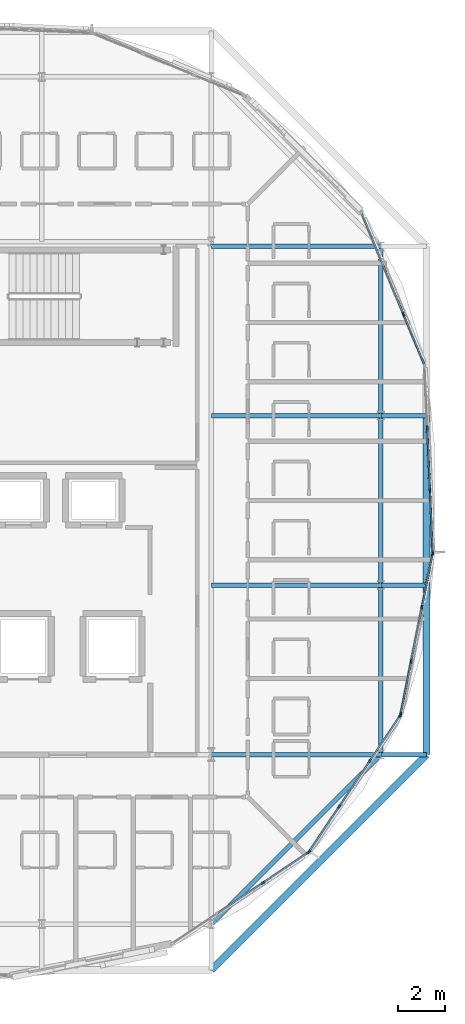
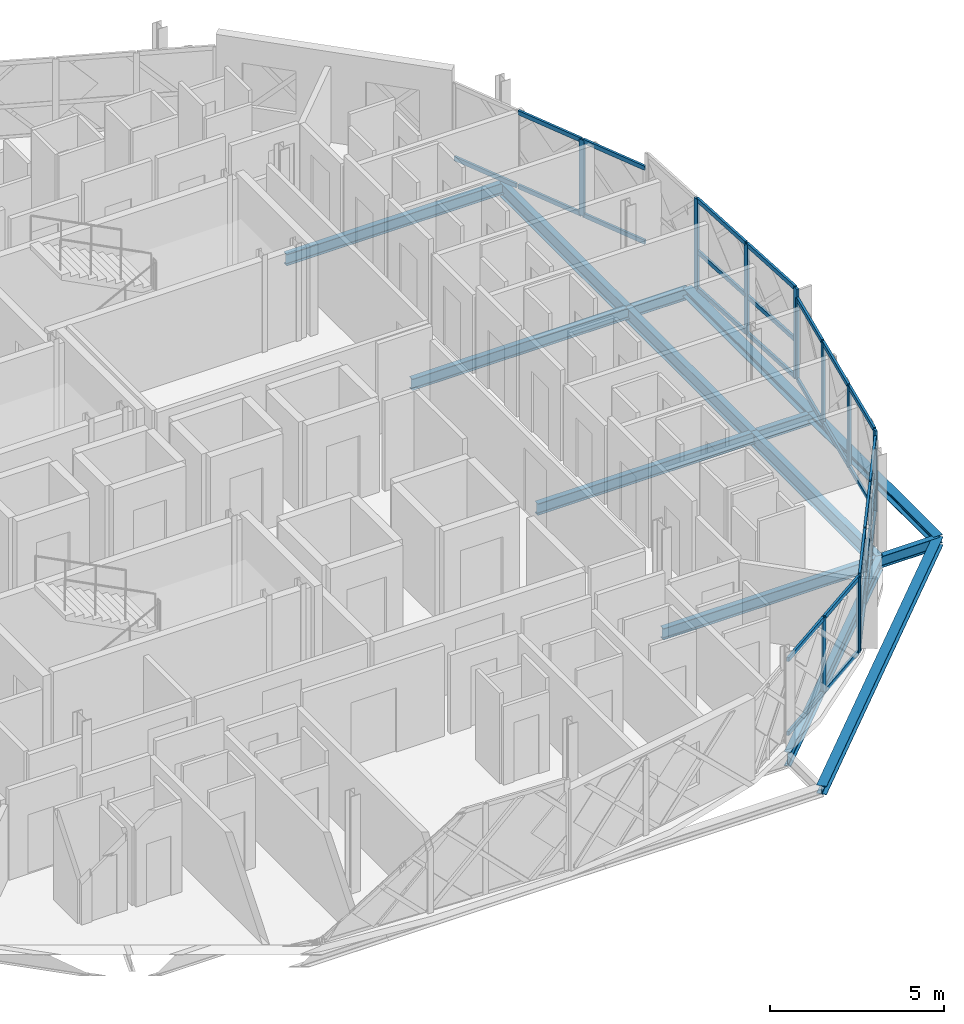
# One storey, part 7 of 24: 44 members, 14 beams, 5 elements without a shape of their own.
"""IFC4 building model written with IfcOpenShell, lengths in metres."""

from ifc_helpers import new_model, si_unit, direction, frame, origin, origin_2d, place, context, subcontext, project, spatial, rectangle, i_section, extrude, material, layer, layer_set, material_profile, profile_set, type_object, element, aggregate, save


model = new_model("IFC4")

# Units and contexts
model_context = context("Model", 3, precision=1e-05, world=origin(), true_north=direction((0.0, 1.0)))
body_context = subcontext(model_context, "Body", "Model", "MODEL_VIEW")
ifc_project = project(units=[si_unit("LENGTHUNIT", "METRE"), si_unit("AREAUNIT", "SQUARE_METRE"), si_unit("VOLUMEUNIT", "CUBIC_METRE"), si_unit("PLANEANGLEUNIT", "RADIAN"), si_unit("MASSUNIT", "GRAM", prefix="KILO")], contexts=[model_context])

# Site, building, storey
site_placement = place(None, origin())
site = spatial("IfcSite", under=ifc_project, at=site_placement, CompositionType="ELEMENT")
building_placement = place(site_placement, origin())
building = spatial("IfcBuilding", under=site, at=building_placement, Name="Zevrakil Square Congress Hotel", CompositionType="ELEMENT")
storey_placement = place(building_placement, frame((0.0, 0.0, 35.10009765625)))
storey = spatial("IfcBuildingStorey", under=building, at=storey_placement, Name="L10", CompositionType="ELEMENT", Elevation=35.10009765625)

# Beams
ifc_material_1 = material(Name="Steel S355", Category="steel")
ifc_material_profile_1 = material_profile(ifc_material_1, i_section(OverallWidth=0.199951171875, OverallDepth=0.5, WebThickness=0.01025390625, FlangeThickness=0.01611328125, FilletRadius=0.02099609375, at=origin_2d()), Name="IPE 500")
ifc_profile_set_1 = profile_set([ifc_material_profile_1], Name="Steel S355")
beam_type_1 = type_object("IfcBeamType", Name="BM-IPE500", PredefinedType="BEAM", material=ifc_profile_set_1)
beam_1_placement = place(storey_placement, frame((156.0, 9.60009765625, -0.47998046875), z_axis=(0.707106781187, 0.707106781187, 0.0), x_axis=(-0.707106781187, 0.707106781187, 0.0)))
element("IfcBeam", 1, at=beam_1_placement, inside=storey, type_object=beam_type_1, Name="L10 drum ring girder DRB-04", PredefinedType="BEAM", context=body_context, shape_type="SweptSolid", body=[
    extrude(i_section(OverallWidth=0.199951171875, OverallDepth=0.5, WebThickness=0.01025390625, FlangeThickness=0.01611328125, FilletRadius=0.02099609375, at=origin_2d()), origin(), (0.0, 0.0, 1.0), 10.182373046875),
])
for number, where, z_axis, x_axis, name in (
    (2, (163.199951171875, 16.800048828125, -0.47998046875), (0.0, 1.0, 0.0), (-1.0, 0.0, 0.0), "L10 drum ring girder DRB-05"),
    (3, (163.199951171875, 24.0, -0.47998046875), (0.0, 1.0, 0.0), (-1.0, 0.0, 0.0), "L10 drum ring girder DRB-06"),
    (4, (163.199951171875, 31.199951171875, -0.47998046875), (0.0, 1.0, 0.0), (-1.0, 0.0, 0.0), "L10 drum ring girder DRB-07"),
):
    element("IfcBeam", number, at=place(storey_placement, frame(where, z_axis=z_axis, x_axis=x_axis)), inside=storey, type_object=beam_type_1, Name=name, PredefinedType="BEAM", context=body_context, shape_type="SweptSolid", body=[
        extrude(i_section(OverallWidth=0.199951171875, OverallDepth=0.5, WebThickness=0.01025390625, FlangeThickness=0.01611328125, FilletRadius=0.02099609375, at=origin_2d()), origin(), (0.0, 0.0, 1.0), 7.199951171875),
    ])

# Curtain wall, members
ifc_material_2 = material(Name="Aluminium Anodised Bronze", Category="aluminium")
ifc_layer_1 = layer(ifc_material_2, 0.179931640625)
ifc_layer_set_1 = layer_set([ifc_layer_1], Name="Aluminium Anodised Bronze")
curtain_wall_type_1 = type_object("IfcCurtainWallType", Name="CW-L10-720", PredefinedType="USERDEFINED", material=ifc_layer_set_1)
curtain_wall_1_placement = place(storey_placement, origin())
curtain_wall_1 = element("IfcCurtainWall", 5, at=curtain_wall_1_placement, inside=storey, type_object=curtain_wall_type_1, Name="L10 diamond curtain wall CW-L10-0271", ObjectType="GLAZED CURTAIN WALL", PredefinedType="USERDEFINED")
ifc_material_3 = material(Name="Aluminium Anodised Bronze", Category="aluminium")
ifc_material_profile_2 = material_profile(ifc_material_3, rectangle(XDim=0.074951171875, YDim=0.14990234375, at=origin_2d()), Name="ALU 75x150")
ifc_profile_set_2 = profile_set([ifc_material_profile_2], Name="Aluminium Anodised Bronze")
member_type_1 = type_object("IfcMemberType", Name="CWM-ALU75x150", PredefinedType="USERDEFINED", material=ifc_profile_set_2)
member_1_placement = place(storey_placement, frame((156.28466796875, 10.078857421875, 0.02978515625), z_axis=(0.831505114703, 0.555517096247, 0.0), x_axis=(-0.555517096247, 0.831505114703, 0.0)))
member_1 = element("IfcMember", 6, at=member_1_placement, type_object=member_type_1, Name="CW-118 transom 2.1", ObjectType="TRANSOM", PredefinedType="USERDEFINED", context=body_context, shape_type="SweptSolid", body=[
    extrude(rectangle(XDim=0.074951171875, YDim=0.14990234375, at=origin_2d()), origin(), (0.0, 0.0, 1.0), 2.275146484375),
])
member_2_placement = place(storey_placement, frame((156.28466796875, 10.078857421875, 2.619873046875), z_axis=(0.831505114703, 0.555517096247, 0.0), x_axis=(-0.555517096247, 0.831505114703, 0.0)))
member_2 = element("IfcMember", 7, at=member_2_placement, type_object=member_type_1, Name="CW-118 transom 2.2", ObjectType="TRANSOM", PredefinedType="USERDEFINED", context=body_context, shape_type="SweptSolid", body=[
    extrude(rectangle(XDim=0.074951171875, YDim=0.14990234375, at=origin_2d()), origin(), (0.0, 0.0, 1.0), 2.275146484375),
])
member_3_placement = place(storey_placement, frame((158.226318359375, 11.376220703125, 0.02978515625), z_axis=(0.831497842201, 0.555527981667, 0.0), x_axis=(-0.555527981667, 0.831497842201, 0.0)))
member_3 = element("IfcMember", 8, at=member_3_placement, type_object=member_type_1, Name="CW-118 transom 3.1", ObjectType="TRANSOM", PredefinedType="USERDEFINED", context=body_context, shape_type="SweptSolid", body=[
    extrude(rectangle(XDim=0.074951171875, YDim=0.14990234375, at=origin_2d()), origin(), (0.0, 0.0, 1.0), 2.245361328125),
])
member_4_placement = place(storey_placement, frame((158.226318359375, 11.376220703125, 2.619873046875), z_axis=(0.831497842201, 0.555527981667, 0.0), x_axis=(-0.555527981667, 0.831497842201, 0.0)))
member_4 = element("IfcMember", 9, at=member_4_placement, type_object=member_type_1, Name="CW-118 transom 3.2", ObjectType="TRANSOM", PredefinedType="USERDEFINED", context=body_context, shape_type="SweptSolid", body=[
    extrude(rectangle(XDim=0.074951171875, YDim=0.14990234375, at=origin_2d()), origin(), (0.0, 0.0, 1.0), 2.245361328125),
])

curtain_wall_2_placement = place(storey_placement, origin())
curtain_wall_2 = element("IfcCurtainWall", 10, at=curtain_wall_2_placement, inside=storey, type_object=curtain_wall_type_1, Name="L10 diamond curtain wall CW-L10-0272", ObjectType="GLAZED CURTAIN WALL", PredefinedType="USERDEFINED")
member_5_placement = place(storey_placement, frame((160.176513671875, 12.706787109375, 0.02978515625), z_axis=(0.555527981667, 0.831497842201, 0.0), x_axis=(-0.831497842201, 0.555527981667, 0.0)))
member_5 = element("IfcMember", 11, at=member_5_placement, type_object=member_type_1, Name="CW-118 transom 1.1", ObjectType="TRANSOM", PredefinedType="USERDEFINED", context=body_context, shape_type="SweptSolid", body=[
    extrude(rectangle(XDim=0.074951171875, YDim=0.14990234375, at=origin_2d()), origin(), (0.0, 0.0, 1.0), 2.245361328125),
])
member_6_placement = place(storey_placement, frame((160.176513671875, 12.706787109375, 1.11279296875), z_axis=(0.555527981667, 0.831497842201, 0.0), x_axis=(-0.831497842201, 0.555527981667, 0.0)))
member_6 = element("IfcMember", 12, at=member_6_placement, type_object=member_type_1, Name="CW-118 transom 1.2", ObjectType="TRANSOM", PredefinedType="USERDEFINED", context=body_context, shape_type="SweptSolid", body=[
    extrude(rectangle(XDim=0.074951171875, YDim=0.14990234375, at=origin_2d()), origin(), (0.0, 0.0, 1.0), 2.245361328125),
])
member_7_placement = place(storey_placement, frame((160.176513671875, 12.706787109375, 2.619873046875), z_axis=(0.555527981667, 0.831497842201, 0.0), x_axis=(-0.831497842201, 0.555527981667, 0.0)))
member_7 = element("IfcMember", 13, at=member_7_placement, type_object=member_type_1, Name="CW-118 transom 1.3", ObjectType="TRANSOM", PredefinedType="USERDEFINED", context=body_context, shape_type="SweptSolid", body=[
    extrude(rectangle(XDim=0.074951171875, YDim=0.14990234375, at=origin_2d()), origin(), (0.0, 0.0, 1.0), 2.245361328125),
])
member_8_placement = place(storey_placement, frame((161.457275390625, 14.62353515625, 0.02978515625), z_axis=(0.555517096247, 0.831505114703, 0.0), x_axis=(-0.831505114703, 0.555517096247, 0.0)))
member_8 = element("IfcMember", 14, at=member_8_placement, type_object=member_type_1, Name="CW-118 transom 2.1", ObjectType="TRANSOM", PredefinedType="USERDEFINED", context=body_context, shape_type="SweptSolid", body=[
    extrude(rectangle(XDim=0.074951171875, YDim=0.14990234375, at=origin_2d()), origin(), (0.0, 0.0, 1.0), 2.275146484375),
])
member_9_placement = place(storey_placement, frame((161.457275390625, 14.62353515625, 1.11279296875), z_axis=(0.555517096247, 0.831505114703, 0.0), x_axis=(-0.831505114703, 0.555517096247, 0.0)))
member_9 = element("IfcMember", 15, at=member_9_placement, type_object=member_type_1, Name="CW-118 transom 2.2", ObjectType="TRANSOM", PredefinedType="USERDEFINED", context=body_context, shape_type="SweptSolid", body=[
    extrude(rectangle(XDim=0.074951171875, YDim=0.14990234375, at=origin_2d()), origin(), (0.0, 0.0, 1.0), 2.275146484375),
])
member_10_placement = place(storey_placement, frame((161.457275390625, 14.62353515625, 2.619873046875), z_axis=(0.555517096247, 0.831505114703, 0.0), x_axis=(-0.831505114703, 0.555517096247, 0.0)))
member_10 = element("IfcMember", 16, at=member_10_placement, type_object=member_type_1, Name="CW-118 transom 2.3", ObjectType="TRANSOM", PredefinedType="USERDEFINED", context=body_context, shape_type="SweptSolid", body=[
    extrude(rectangle(XDim=0.074951171875, YDim=0.14990234375, at=origin_2d()), origin(), (0.0, 0.0, 1.0), 2.275146484375),
])
member_11_placement = place(storey_placement, frame((162.754638671875, 16.565185546875, 0.02978515625), z_axis=(0.555527981667, 0.831497842201, 0.0), x_axis=(-0.831497842201, 0.555527981667, 0.0)))
member_11 = element("IfcMember", 17, at=member_11_placement, type_object=member_type_1, Name="CW-118 transom 3.1", ObjectType="TRANSOM", PredefinedType="USERDEFINED", context=body_context, shape_type="SweptSolid", body=[
    extrude(rectangle(XDim=0.074951171875, YDim=0.14990234375, at=origin_2d()), origin(), (0.0, 0.0, 1.0), 2.245361328125),
])
member_12_placement = place(storey_placement, frame((162.754638671875, 16.565185546875, 1.11279296875), z_axis=(0.555527981667, 0.831497842201, 0.0), x_axis=(-0.831497842201, 0.555527981667, 0.0)))
member_12 = element("IfcMember", 18, at=member_12_placement, type_object=member_type_1, Name="CW-118 transom 3.2", ObjectType="TRANSOM", PredefinedType="USERDEFINED", context=body_context, shape_type="SweptSolid", body=[
    extrude(rectangle(XDim=0.074951171875, YDim=0.14990234375, at=origin_2d()), origin(), (0.0, 0.0, 1.0), 2.245361328125),
])
member_13_placement = place(storey_placement, frame((162.754638671875, 16.565185546875, 2.619873046875), z_axis=(0.555527981667, 0.831497842201, 0.0), x_axis=(-0.831497842201, 0.555527981667, 0.0)))
member_13 = element("IfcMember", 19, at=member_13_placement, type_object=member_type_1, Name="CW-118 transom 3.3", ObjectType="TRANSOM", PredefinedType="USERDEFINED", context=body_context, shape_type="SweptSolid", body=[
    extrude(rectangle(XDim=0.074951171875, YDim=0.14990234375, at=origin_2d()), origin(), (0.0, 0.0, 1.0), 2.245361328125),
])

curtain_wall_3_placement = place(storey_placement, origin())
curtain_wall_3 = element("IfcCurtainWall", 20, at=curtain_wall_3_placement, inside=storey, type_object=curtain_wall_type_1, Name="L10 diamond curtain wall CW-L10-0273", ObjectType="GLAZED CURTAIN WALL", PredefinedType="USERDEFINED")
member_14_placement = place(storey_placement, frame((164.047119140625, 18.540771484375, 0.02978515625), z_axis=(0.195070495322, 0.98078922397, 0.0), x_axis=(-0.98078922397, 0.195070495322, 0.0)))
member_14 = element("IfcMember", 21, at=member_14_placement, type_object=member_type_1, Name="CW-118 transom 1.1", ObjectType="TRANSOM", PredefinedType="USERDEFINED", context=body_context, shape_type="SweptSolid", body=[
    extrude(rectangle(XDim=0.074951171875, YDim=0.14990234375, at=origin_2d()), origin(), (0.0, 0.0, 1.0), 2.245361328125),
])
member_15_placement = place(storey_placement, frame((164.047119140625, 18.540771484375, 2.81982421875), z_axis=(0.195070495322, 0.98078922397, 0.0), x_axis=(-0.98078922397, 0.195070495322, 0.0)))
member_15 = element("IfcMember", 22, at=member_15_placement, type_object=member_type_1, Name="CW-118 transom 1.2", ObjectType="TRANSOM", PredefinedType="USERDEFINED", context=body_context, shape_type="SweptSolid", body=[
    extrude(rectangle(XDim=0.074951171875, YDim=0.14990234375, at=origin_2d()), origin(), (0.0, 0.0, 1.0), 2.245361328125),
])
member_16_placement = place(storey_placement, frame((164.496826171875, 20.8017578125, 0.02978515625), z_axis=(0.195084227953, 0.980786492568, 0.0), x_axis=(-0.980786492568, 0.195084227953, 0.0)))
member_16 = element("IfcMember", 23, at=member_16_placement, type_object=member_type_1, Name="CW-118 transom 2.1", ObjectType="TRANSOM", PredefinedType="USERDEFINED", context=body_context, shape_type="SweptSolid", body=[
    extrude(rectangle(XDim=0.074951171875, YDim=0.14990234375, at=origin_2d()), origin(), (0.0, 0.0, 1.0), 2.275146484375),
])
member_17_placement = place(storey_placement, frame((164.496826171875, 20.8017578125, 2.81982421875), z_axis=(0.195084227953, 0.980786492568, 0.0), x_axis=(-0.980786492568, 0.195084227953, 0.0)))
member_17 = element("IfcMember", 24, at=member_17_placement, type_object=member_type_1, Name="CW-118 transom 2.2", ObjectType="TRANSOM", PredefinedType="USERDEFINED", context=body_context, shape_type="SweptSolid", body=[
    extrude(rectangle(XDim=0.074951171875, YDim=0.14990234375, at=origin_2d()), origin(), (0.0, 0.0, 1.0), 2.275146484375),
])
member_18_placement = place(storey_placement, frame((164.952392578125, 23.092041015625, 0.02978515625), z_axis=(0.195070495322, 0.98078922397, 0.0), x_axis=(-0.98078922397, 0.195070495322, 0.0)))
member_18 = element("IfcMember", 25, at=member_18_placement, type_object=member_type_1, Name="CW-118 transom 3.1", ObjectType="TRANSOM", PredefinedType="USERDEFINED", context=body_context, shape_type="SweptSolid", body=[
    extrude(rectangle(XDim=0.074951171875, YDim=0.14990234375, at=origin_2d()), origin(), (0.0, 0.0, 1.0), 2.245361328125),
])
member_19_placement = place(storey_placement, frame((164.952392578125, 23.092041015625, 2.81982421875), z_axis=(0.195070495322, 0.98078922397, 0.0), x_axis=(-0.98078922397, 0.195070495322, 0.0)))
member_19 = element("IfcMember", 26, at=member_19_placement, type_object=member_type_1, Name="CW-118 transom 3.2", ObjectType="TRANSOM", PredefinedType="USERDEFINED", context=body_context, shape_type="SweptSolid", body=[
    extrude(rectangle(XDim=0.074951171875, YDim=0.14990234375, at=origin_2d()), origin(), (0.0, 0.0, 1.0), 2.245361328125),
])

ifc_material_4 = material(Name="Aluminium Anodised Bronze", Category="aluminium")
ifc_layer_2 = layer(ifc_material_4, 0.179931640625)
ifc_layer_set_2 = layer_set([ifc_layer_2], Name="Aluminium Anodised Bronze")
curtain_wall_type_2 = type_object("IfcCurtainWallType", Name="CW-L10-840", PredefinedType="USERDEFINED", material=ifc_layer_set_2)
curtain_wall_4_placement = place(storey_placement, origin())
curtain_wall_4 = element("IfcCurtainWall", 27, at=curtain_wall_4_placement, inside=storey, type_object=curtain_wall_type_2, Name="L10 diamond curtain wall CW-L10-0274", ObjectType="GLAZED CURTAIN WALL", PredefinedType="USERDEFINED")
member_20_placement = place(storey_placement, frame((165.3994140625, 25.412841796875, 0.02978515625), z_axis=(-0.043087908492, 0.999071284815, 0.0), x_axis=(-0.999071284815, -0.043087908492, 0.0)))
member_20 = element("IfcMember", 28, at=member_20_placement, type_object=member_type_1, Name="CW-119 transom 1.1", ObjectType="TRANSOM", PredefinedType="USERDEFINED", context=body_context, shape_type="SweptSolid", body=[
    extrude(rectangle(XDim=0.074951171875, YDim=0.14990234375, at=origin_2d()), origin(), (0.0, 0.0, 1.0), 2.578125),
])
member_21_placement = place(storey_placement, frame((165.3994140625, 25.412841796875, 1.3291015625), z_axis=(-0.043087908492, 0.999071284815, 0.0), x_axis=(-0.999071284815, -0.043087908492, 0.0)))
member_21 = element("IfcMember", 29, at=member_21_placement, type_object=member_type_1, Name="CW-119 transom 1.2", ObjectType="TRANSOM", PredefinedType="USERDEFINED", context=body_context, shape_type="SweptSolid", body=[
    extrude(rectangle(XDim=0.074951171875, YDim=0.14990234375, at=origin_2d()), origin(), (0.0, 0.0, 1.0), 2.578125),
])
member_22_placement = place(storey_placement, frame((165.3994140625, 25.412841796875, 3.135009765625), z_axis=(-0.043087908492, 0.999071284815, 0.0), x_axis=(-0.999071284815, -0.043087908492, 0.0)))
member_22 = element("IfcMember", 30, at=member_22_placement, type_object=member_type_1, Name="CW-119 transom 1.3", ObjectType="TRANSOM", PredefinedType="USERDEFINED", context=body_context, shape_type="SweptSolid", body=[
    extrude(rectangle(XDim=0.074951171875, YDim=0.14990234375, at=origin_2d()), origin(), (0.0, 0.0, 1.0), 2.578125),
])
member_23_placement = place(storey_placement, frame((165.28564453125, 28.048583984375, 0.02978515625), z_axis=(-0.043059435557, 0.999072512388, 0.0), x_axis=(-0.999072512388, -0.043059435557, 0.0)))
member_23 = element("IfcMember", 31, at=member_23_placement, type_object=member_type_1, Name="CW-119 transom 2.1", ObjectType="TRANSOM", PredefinedType="USERDEFINED", context=body_context, shape_type="SweptSolid", body=[
    extrude(rectangle(XDim=0.074951171875, YDim=0.14990234375, at=origin_2d()), origin(), (0.0, 0.0, 1.0), 2.608154296875),
])
member_24_placement = place(storey_placement, frame((165.28564453125, 28.048583984375, 1.3291015625), z_axis=(-0.043059435557, 0.999072512388, 0.0), x_axis=(-0.999072512388, -0.043059435557, 0.0)))
member_24 = element("IfcMember", 32, at=member_24_placement, type_object=member_type_1, Name="CW-119 transom 2.2", ObjectType="TRANSOM", PredefinedType="USERDEFINED", context=body_context, shape_type="SweptSolid", body=[
    extrude(rectangle(XDim=0.074951171875, YDim=0.14990234375, at=origin_2d()), origin(), (0.0, 0.0, 1.0), 2.608154296875),
])
member_25_placement = place(storey_placement, frame((165.28564453125, 28.048583984375, 3.135009765625), z_axis=(-0.043059435557, 0.999072512388, 0.0), x_axis=(-0.999072512388, -0.043059435557, 0.0)))
member_25 = element("IfcMember", 33, at=member_25_placement, type_object=member_type_1, Name="CW-119 transom 2.3", ObjectType="TRANSOM", PredefinedType="USERDEFINED", context=body_context, shape_type="SweptSolid", body=[
    extrude(rectangle(XDim=0.074951171875, YDim=0.14990234375, at=origin_2d()), origin(), (0.0, 0.0, 1.0), 2.608154296875),
])

curtain_wall_5_placement = place(storey_placement, origin())
curtain_wall_5 = element("IfcCurtainWall", 34, at=curtain_wall_5_placement, inside=storey, type_object=curtain_wall_type_1, Name="L10 diamond curtain wall CW-L10-0275", ObjectType="GLAZED CURTAIN WALL", PredefinedType="USERDEFINED")
member_26_placement = place(storey_placement, frame((165.033935546875, 33.4052734375, 0.02978515625), z_axis=(-0.382668727465, 0.923885623343, 0.0), x_axis=(-0.923885623343, -0.382668727465, 0.0)))
member_26 = element("IfcMember", 35, at=member_26_placement, type_object=member_type_1, Name="CW-118 transom 1.1", ObjectType="TRANSOM", PredefinedType="USERDEFINED", context=body_context, shape_type="SweptSolid", body=[
    extrude(rectangle(XDim=0.074951171875, YDim=0.14990234375, at=origin_2d()), origin(), (0.0, 0.0, 1.0), 2.2451171875),
])
member_27_placement = place(storey_placement, frame((165.033935546875, 33.4052734375, 2.619873046875), z_axis=(-0.382668727465, 0.923885623343, 0.0), x_axis=(-0.923885623343, -0.382668727465, 0.0)))
member_27 = element("IfcMember", 36, at=member_27_placement, type_object=member_type_1, Name="CW-118 transom 1.2", ObjectType="TRANSOM", PredefinedType="USERDEFINED", context=body_context, shape_type="SweptSolid", body=[
    extrude(rectangle(XDim=0.074951171875, YDim=0.14990234375, at=origin_2d()), origin(), (0.0, 0.0, 1.0), 2.2451171875),
])
member_28_placement = place(storey_placement, frame((164.15185546875, 35.534912109375, 0.02978515625), z_axis=(-0.382648740238, 0.923893901698, 0.0), x_axis=(-0.923893901698, -0.382648740238, 0.0)))
member_28 = element("IfcMember", 37, at=member_28_placement, type_object=member_type_1, Name="CW-118 transom 2.1", ObjectType="TRANSOM", PredefinedType="USERDEFINED", context=body_context, shape_type="SweptSolid", body=[
    extrude(rectangle(XDim=0.074951171875, YDim=0.14990234375, at=origin_2d()), origin(), (0.0, 0.0, 1.0), 2.275146484375),
])
member_29_placement = place(storey_placement, frame((164.15185546875, 35.534912109375, 2.619873046875), z_axis=(-0.382648740238, 0.923893901698, 0.0), x_axis=(-0.923893901698, -0.382648740238, 0.0)))
member_29 = element("IfcMember", 38, at=member_29_placement, type_object=member_type_1, Name="CW-118 transom 2.2", ObjectType="TRANSOM", PredefinedType="USERDEFINED", context=body_context, shape_type="SweptSolid", body=[
    extrude(rectangle(XDim=0.074951171875, YDim=0.14990234375, at=origin_2d()), origin(), (0.0, 0.0, 1.0), 2.275146484375),
])
member_30_placement = place(storey_placement, frame((163.25830078125, 37.692626953125, 0.02978515625), z_axis=(-0.382761541363, 0.923847174836, 0.0), x_axis=(-0.923847174836, -0.382761541363, 0.0)))
member_30 = element("IfcMember", 39, at=member_30_placement, type_object=member_type_1, Name="CW-118 transom 3.1", ObjectType="TRANSOM", PredefinedType="USERDEFINED", context=body_context, shape_type="SweptSolid", body=[
    extrude(rectangle(XDim=0.074951171875, YDim=0.14990234375, at=origin_2d()), origin(), (0.0, 0.0, 1.0), 2.2451171875),
])

# Member
ifc_material_5 = material(Name="Aluminium Anodised Bronze", Category="aluminium")
ifc_material_profile_3 = material_profile(ifc_material_5, rectangle(XDim=0.074951171875, YDim=0.179931640625, at=origin_2d()), Name="ALU 75x180")
ifc_profile_set_3 = profile_set([ifc_material_profile_3], Name="Aluminium Anodised Bronze")
member_type_2 = type_object("IfcMemberType", Name="CWM-ALU75x180", PredefinedType="MULLION", material=ifc_profile_set_3)
member_31_placement = place(storey_placement, frame((158.201416015625, 11.359619140625, 0.0), z_axis=(0.0, 0.0, 1.0), x_axis=(-0.555576098128, 0.831465693332, 0.0)))
member_31 = element("IfcMember", 40, at=member_31_placement, type_object=member_type_2, Name="CW-118 mullion 3", PredefinedType="MULLION", context=body_context, shape_type="SweptSolid", body=[
    extrude(rectangle(XDim=0.074951171875, YDim=0.179931640625, at=origin_2d()), origin(), (0.0, 0.0, 1.0), 2.64990234375),
])

member_32_placement = place(storey_placement, frame((160.1181640625, 12.64013671875, 0.0), z_axis=(0.0, 0.0, 1.0), x_axis=(-0.555576098128, 0.831465693332, 0.0)))
member_32 = element("IfcMember", 41, at=member_32_placement, type_object=member_type_2, Name="CW-118 mullion 4", PredefinedType="MULLION", context=body_context, shape_type="SweptSolid", body=[
    extrude(rectangle(XDim=0.074951171875, YDim=0.179931640625, at=origin_2d()), origin(), (0.0, 0.0, 1.0), 2.64990234375),
])

aggregate(curtain_wall_1, [member_31, member_32, member_1, member_2, member_3, member_4])

member_33_placement = place(storey_placement, frame((160.15966796875, 12.681884765625, 0.0), z_axis=(0.0, 0.0, 1.0), x_axis=(-0.831465693332, 0.555576098128, 0.0)))
member_33 = element("IfcMember", 42, at=member_33_placement, type_object=member_type_2, Name="CW-118 mullion 1", PredefinedType="MULLION", context=body_context, shape_type="SweptSolid", body=[
    extrude(rectangle(XDim=0.074951171875, YDim=0.179931640625, at=origin_2d()), origin(), (0.0, 0.0, 1.0), 2.64990234375),
])

member_34_placement = place(storey_placement, frame((161.4404296875, 14.5986328125, 0.0), z_axis=(0.0, 0.0, 1.0), x_axis=(-0.831465693332, 0.555576098128, 0.0)))
member_34 = element("IfcMember", 43, at=member_34_placement, type_object=member_type_2, Name="CW-118 mullion 2", PredefinedType="MULLION", context=body_context, shape_type="SweptSolid", body=[
    extrude(rectangle(XDim=0.074951171875, YDim=0.179931640625, at=origin_2d()), origin(), (0.0, 0.0, 1.0), 2.64990234375),
])

member_35_placement = place(storey_placement, frame((162.73779296875, 16.540283203125, 0.0), z_axis=(0.0, 0.0, 1.0), x_axis=(-0.831465693332, 0.555576098128, 0.0)))
member_35 = element("IfcMember", 44, at=member_35_placement, type_object=member_type_2, Name="CW-118 mullion 3", PredefinedType="MULLION", context=body_context, shape_type="SweptSolid", body=[
    extrude(rectangle(XDim=0.074951171875, YDim=0.179931640625, at=origin_2d()), origin(), (0.0, 0.0, 1.0), 2.64990234375),
])

member_36_placement = place(storey_placement, frame((164.0185546875, 18.45703125, 0.0), z_axis=(0.0, 0.0, 1.0), x_axis=(-0.831465693332, 0.555576098128, 0.0)))
member_36 = element("IfcMember", 45, at=member_36_placement, type_object=member_type_2, Name="CW-118 mullion 4", PredefinedType="MULLION", context=body_context, shape_type="SweptSolid", body=[
    extrude(rectangle(XDim=0.074951171875, YDim=0.179931640625, at=origin_2d()), origin(), (0.0, 0.0, 1.0), 2.64990234375),
])

aggregate(curtain_wall_2, [member_33, member_34, member_35, member_36, member_5, member_6, member_7, member_8, member_9, member_10, member_11, member_12, member_13])

member_37_placement = place(storey_placement, frame((164.041259765625, 18.51123046875, 0.0), z_axis=(0.0, 0.0, 1.0), x_axis=(-0.980786557708, 0.195083900459, 0.0)))
member_37 = element("IfcMember", 46, at=member_37_placement, type_object=member_type_2, Name="CW-118 mullion 1", PredefinedType="MULLION", context=body_context, shape_type="SweptSolid", body=[
    extrude(rectangle(XDim=0.074951171875, YDim=0.179931640625, at=origin_2d()), origin(), (0.0, 0.0, 1.0), 2.849853515625),
])

member_38_placement = place(storey_placement, frame((164.490966796875, 20.772216796875, 0.0), z_axis=(0.0, 0.0, 1.0), x_axis=(-0.980786557708, 0.195083900459, 0.0)))
member_38 = element("IfcMember", 47, at=member_38_placement, type_object=member_type_2, Name="CW-118 mullion 2", PredefinedType="MULLION", context=body_context, shape_type="SweptSolid", body=[
    extrude(rectangle(XDim=0.074951171875, YDim=0.179931640625, at=origin_2d()), origin(), (0.0, 0.0, 1.0), 2.849853515625),
])

member_39_placement = place(storey_placement, frame((164.946533203125, 23.062744140625, 0.0), z_axis=(0.0, 0.0, 1.0), x_axis=(-0.980786557708, 0.195083900459, 0.0)))
member_39 = element("IfcMember", 48, at=member_39_placement, type_object=member_type_2, Name="CW-118 mullion 3", PredefinedType="MULLION", context=body_context, shape_type="SweptSolid", body=[
    extrude(rectangle(XDim=0.074951171875, YDim=0.179931640625, at=origin_2d()), origin(), (0.0, 0.0, 1.0), 2.849853515625),
])

member_40_placement = place(storey_placement, frame((165.396240234375, 25.323486328125, 0.0), z_axis=(0.0, 0.0, 1.0), x_axis=(-0.980786557708, 0.195083900459, 0.0)))
member_40 = element("IfcMember", 49, at=member_40_placement, type_object=member_type_2, Name="CW-118 mullion 4", PredefinedType="MULLION", context=body_context, shape_type="SweptSolid", body=[
    extrude(rectangle(XDim=0.074951171875, YDim=0.179931640625, at=origin_2d()), origin(), (0.0, 0.0, 1.0), 2.849853515625),
])

aggregate(curtain_wall_3, [member_37, member_38, member_39, member_40, member_14, member_15, member_16, member_17, member_18, member_19])

member_41_placement = place(storey_placement, frame((165.400634765625, 25.383056640625, 0.0), z_axis=(0.0, 0.0, 1.0), x_axis=(-0.999070669923, -0.043102163504, 0.0)))
member_41 = element("IfcMember", 50, at=member_41_placement, type_object=member_type_2, Name="CW-119 mullion 1", PredefinedType="MULLION", context=body_context, shape_type="SweptSolid", body=[
    extrude(rectangle(XDim=0.074951171875, YDim=0.179931640625, at=origin_2d()), origin(), (0.0, 0.0, 1.0), 3.164794921875),
])

member_42_placement = place(storey_placement, frame((165.287109375, 28.0185546875, 0.0), z_axis=(0.0, 0.0, 1.0), x_axis=(-0.999070669923, -0.043102163504, 0.0)))
member_42 = element("IfcMember", 51, at=member_42_placement, type_object=member_type_2, Name="CW-119 mullion 2", PredefinedType="MULLION", context=body_context, shape_type="SweptSolid", body=[
    extrude(rectangle(XDim=0.074951171875, YDim=0.179931640625, at=origin_2d()), origin(), (0.0, 0.0, 1.0), 3.164794921875),
])

member_43_placement = place(storey_placement, frame((165.172119140625, 30.68408203125, 0.0), z_axis=(0.0, 0.0, 1.0), x_axis=(-0.999070669923, -0.043102163504, 0.0)))
member_43 = element("IfcMember", 52, at=member_43_placement, type_object=member_type_2, Name="CW-119 mullion 3", PredefinedType="MULLION", context=body_context, shape_type="SweptSolid", body=[
    extrude(rectangle(XDim=0.074951171875, YDim=0.179931640625, at=origin_2d()), origin(), (0.0, 0.0, 1.0), 3.164794921875),
])

aggregate(curtain_wall_4, [member_41, member_42, member_43, member_20, member_21, member_22, member_23, member_24, member_25])

member_44_placement = place(storey_placement, frame((164.163330078125, 35.50732421875, 0.0), z_axis=(0.0, 0.0, 1.0), x_axis=(-0.92387939537, -0.382683763454, 0.0)))
member_44 = element("IfcMember", 53, at=member_44_placement, type_object=member_type_2, Name="CW-118 mullion 2", PredefinedType="MULLION", context=body_context, shape_type="SweptSolid", body=[
    extrude(rectangle(XDim=0.074951171875, YDim=0.179931640625, at=origin_2d()), origin(), (0.0, 0.0, 1.0), 2.64990234375),
])

aggregate(curtain_wall_5, [member_44, member_26, member_27, member_28, member_29, member_30])

# Beams
ifc_material_6 = material(Name="Steel S355", Category="steel")
ifc_material_profile_4 = material_profile(ifc_material_6, i_section(OverallWidth=0.179931640625, OverallDepth=0.39990234375, WebThickness=0.008544921875, FlangeThickness=0.013427734375, FilletRadius=0.02099609375, at=origin_2d()), Name="IPE 400")
ifc_profile_set_4 = profile_set([ifc_material_profile_4], Name="Steel S355")
beam_type_2 = type_object("IfcBeamType", Name="JST-IPE400", PredefinedType="JOIST", material=ifc_profile_set_4)
beam_2_placement = place(storey_placement, frame((156.0, 16.800048828125, -0.43017578125), z_axis=(1.0, 0.0, 0.0), x_axis=(0.0, 1.0, 0.0)))
element("IfcBeam", 54, at=beam_2_placement, inside=storey, type_object=beam_type_2, Name="L10 drum radial floor beam DRI-05", PredefinedType="JOIST", context=body_context, shape_type="SweptSolid", body=[
    extrude(i_section(OverallWidth=0.179931640625, OverallDepth=0.39990234375, WebThickness=0.008544921875, FlangeThickness=0.013427734375, FilletRadius=0.02099609375, at=origin_2d()), origin(), (0.0, 0.0, 1.0), 7.199951171875),
])
beam_3_placement = place(storey_placement, frame((163.199951171875, 16.800048828125, -0.43017578125), z_axis=(1.0, 0.0, 0.0), x_axis=(0.0, 1.0, 0.0)))
element("IfcBeam", 55, at=beam_3_placement, inside=storey, type_object=beam_type_2, Name="L10 drum radial edge cantilever beam DRO-05", PredefinedType="JOIST", context=body_context, shape_type="SweptSolid", body=[
    extrude(i_section(OverallWidth=0.179931640625, OverallDepth=0.39990234375, WebThickness=0.008544921875, FlangeThickness=0.013427734375, FilletRadius=0.02099609375, at=origin_2d()), origin(), (0.0, 0.0, 1.0), 1.942138671875),
])
beam_4_placement = place(storey_placement, frame((156.0, 24.0, -0.43017578125), z_axis=(1.0, 0.0, 0.0), x_axis=(0.0, 1.0, 0.0)))
element("IfcBeam", 56, at=beam_4_placement, inside=storey, type_object=beam_type_2, Name="L10 drum radial floor beam DRI-06", PredefinedType="JOIST", context=body_context, shape_type="SweptSolid", body=[
    extrude(i_section(OverallWidth=0.179931640625, OverallDepth=0.39990234375, WebThickness=0.008544921875, FlangeThickness=0.013427734375, FilletRadius=0.02099609375, at=origin_2d()), origin(), (0.0, 0.0, 1.0), 7.199951171875),
])
beam_5_placement = place(storey_placement, frame((163.199951171875, 24.0, -0.43017578125), z_axis=(1.0, 0.0, 0.0), x_axis=(0.0, 1.0, 0.0)))
element("IfcBeam", 57, at=beam_5_placement, inside=storey, type_object=beam_type_2, Name="L10 drum radial edge cantilever beam DRO-06", PredefinedType="JOIST", context=body_context, shape_type="SweptSolid", body=[
    extrude(i_section(OverallWidth=0.179931640625, OverallDepth=0.39990234375, WebThickness=0.008544921875, FlangeThickness=0.013427734375, FilletRadius=0.02099609375, at=origin_2d()), origin(), (0.0, 0.0, 1.0), 1.942138671875),
])
beam_6_placement = place(storey_placement, frame((156.0, 31.199951171875, -0.43017578125), z_axis=(1.0, 0.0, 0.0), x_axis=(0.0, 1.0, 0.0)))
element("IfcBeam", 58, at=beam_6_placement, inside=storey, type_object=beam_type_2, Name="L10 drum radial floor beam DRI-07", PredefinedType="JOIST", context=body_context, shape_type="SweptSolid", body=[
    extrude(i_section(OverallWidth=0.179931640625, OverallDepth=0.39990234375, WebThickness=0.008544921875, FlangeThickness=0.013427734375, FilletRadius=0.02099609375, at=origin_2d()), origin(), (0.0, 0.0, 1.0), 7.199951171875),
])
beam_7_placement = place(storey_placement, frame((163.199951171875, 31.199951171875, -0.43017578125), z_axis=(1.0, 0.0, 0.0), x_axis=(0.0, 1.0, 0.0)))
element("IfcBeam", 59, at=beam_7_placement, inside=storey, type_object=beam_type_2, Name="L10 drum radial edge cantilever beam DRO-07", PredefinedType="JOIST", context=body_context, shape_type="SweptSolid", body=[
    extrude(i_section(OverallWidth=0.179931640625, OverallDepth=0.39990234375, WebThickness=0.008544921875, FlangeThickness=0.013427734375, FilletRadius=0.02099609375, at=origin_2d()), origin(), (0.0, 0.0, 1.0), 1.942138671875),
])
beam_8_placement = place(storey_placement, frame((156.0, 38.39990234375, -0.43017578125), z_axis=(1.0, 0.0, 0.0), x_axis=(0.0, 1.0, 0.0)))
element("IfcBeam", 60, at=beam_8_placement, inside=storey, type_object=beam_type_2, Name="L10 drum radial floor beam DRI-08", PredefinedType="JOIST", context=body_context, shape_type="SweptSolid", body=[
    extrude(i_section(OverallWidth=0.179931640625, OverallDepth=0.39990234375, WebThickness=0.008544921875, FlangeThickness=0.013427734375, FilletRadius=0.02099609375, at=origin_2d()), origin(), (0.0, 0.0, 1.0), 7.199951171875),
])
ifc_material_7 = material(Name="Steel S355", Category="steel")
ifc_material_profile_5 = material_profile(ifc_material_7, i_section(OverallWidth=0.300048828125, OverallDepth=0.300048828125, WebThickness=0.010986328125, FlangeThickness=0.01904296875, FilletRadius=0.027099609375, at=origin_2d()), Name="HEB 300")
ifc_profile_set_5 = profile_set([ifc_material_profile_5], Name="Steel S355")
beam_type_3 = type_object("IfcBeamType", Name="SPD-RHS250", PredefinedType="SPANDREL", material=ifc_profile_set_5)
beam_9_placement = place(storey_placement, frame((156.0, 7.657958984375, -0.380126953125), z_axis=(0.707106781187, 0.707106781187, 0.0), x_axis=(-0.707106781187, 0.707106781187, 0.0)))
element("IfcBeam", 61, at=beam_9_placement, inside=storey, type_object=beam_type_3, Name="L10 drum edge spandrel beam DSP-03", PredefinedType="SPANDREL", context=body_context, shape_type="SweptSolid", body=[
    extrude(i_section(OverallWidth=0.300048828125, OverallDepth=0.300048828125, WebThickness=0.010986328125, FlangeThickness=0.01904296875, FilletRadius=0.027099609375, at=origin_2d()), origin(), (0.0, 0.0, 1.0), 12.928955078125),
])
for number, where, z_axis, x_axis, name in (
    (62, (165.14208984375, 16.800048828125, -0.380126953125), (0.0, 1.0, 0.0), (-1.0, 0.0, 0.0), "L10 drum edge spandrel beam DSP-04"),
    (63, (165.14208984375, 24.0, -0.380126953125), (0.0, 1.0, 0.0), (-1.0, 0.0, 0.0), "L10 drum edge spandrel beam DSP-05"),
):
    element("IfcBeam", number, at=place(storey_placement, frame(where, z_axis=z_axis, x_axis=x_axis)), inside=storey, type_object=beam_type_3, Name=name, PredefinedType="SPANDREL", context=body_context, shape_type="SweptSolid", body=[
        extrude(i_section(OverallWidth=0.300048828125, OverallDepth=0.300048828125, WebThickness=0.010986328125, FlangeThickness=0.01904296875, FilletRadius=0.027099609375, at=origin_2d()), origin(), (0.0, 0.0, 1.0), 7.199951171875),
    ])

save(model, "model.ifc")
